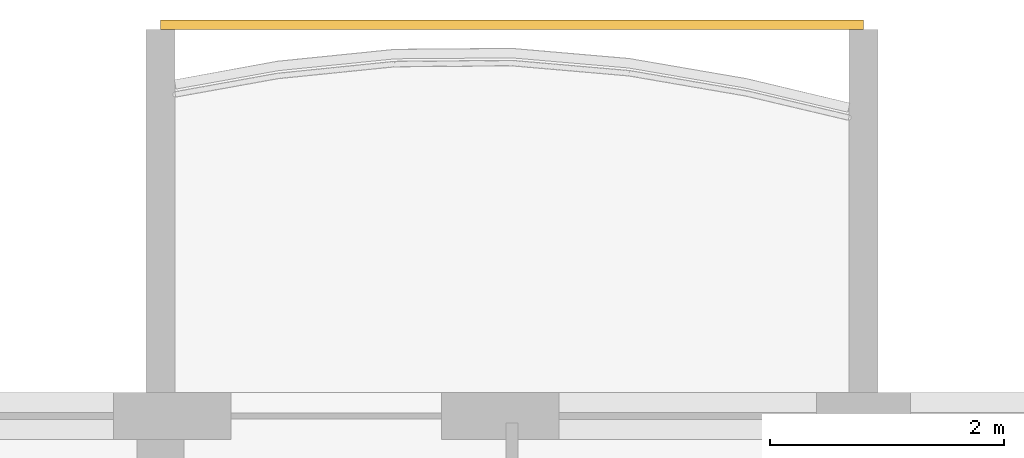
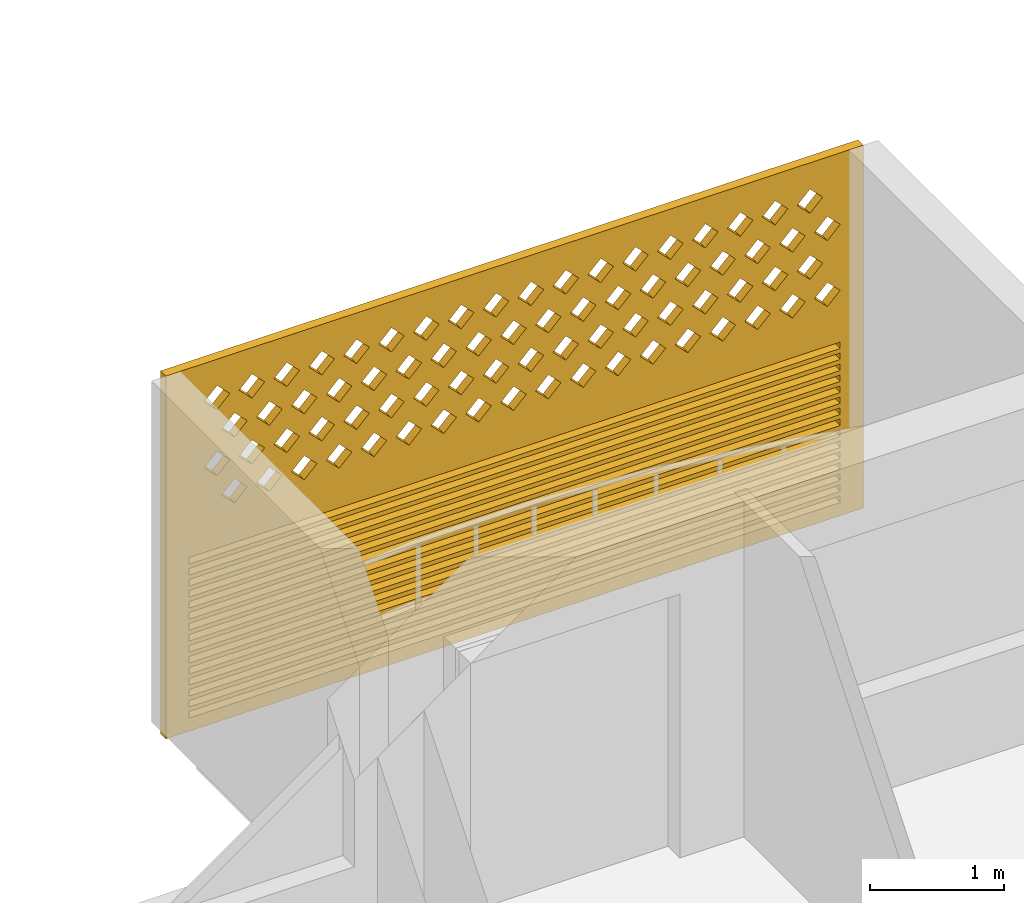
# One storey, part 25 of 44: 1 covering.
"""IFC4 building model written with IfcOpenShell, lengths in metres."""

import ifcopenshell
import ifcopenshell.guid

model = None  # the IFC model being written
_history = None  # IfcOwnerHistory: only IFC2X3 demands one
_inside = {}  # id of a spatial element -> (the spatial element, [elements in it])
_under = {}  # id of a project, library or spatial element -> (it, [spatial elements below it])
_declared = {}  # id of a project -> (the project, [libraries it declares])
_typed = {}  # id of a type object -> (the type object, [elements of that type])
_made_of = {}  # id of a material, layer set ... -> (it, [elements and type objects made of it])


def new_model(schema):
    """Start an empty IFC model of exactly this schema.

    Asked for "IFC4X3", IfcOpenShell would pick the latest addendum, in which some entities
    have other attributes; the version numbers below select the first issue.
    IFC2X3 requires an IfcOwnerHistory on every rooted entity: one is made here for all.
    """
    global model, _history
    if schema == "IFC4X3":
        model = ifcopenshell.file(schema_version=(4, 3, 0, 0))
    else:
        model = ifcopenshell.file(schema=schema)
    _inside.clear()
    _under.clear()
    _declared.clear()
    _typed.clear()
    _made_of.clear()
    _history = None
    if model.schema == "IFC2X3":
        org = make("IfcOrganization", Name="unknown")
        user = make(
            "IfcPersonAndOrganization",
            ThePerson=make("IfcPerson", FamilyName="unknown"),
            TheOrganization=org,
        )
        app = make(
            "IfcApplication",
            ApplicationDeveloper=org,
            Version="unknown",
            ApplicationFullName="unknown",
            ApplicationIdentifier="unknown",
        )
        _history = make(
            "IfcOwnerHistory",
            OwningUser=user,
            OwningApplication=app,
            ChangeAction="ADDED",
            CreationDate=0,
        )
    return model


def make(cls, **values):
    """One entity of the class cls with the attributes given. An attribute that is None is left unset."""
    return model.create_entity(
        cls, **{name: value for name, value in values.items() if value is not None}
    )


def rooted(cls, **values):
    """An entity with a GlobalId (a new one), such as an element, a storey or a relation."""
    return make(cls, GlobalId=ifcopenshell.guid.new(), OwnerHistory=_history, **values)


def si_unit(unit_type, name, prefix=None):
    """IfcSIUnit, for example si_unit("LENGTHUNIT", "METRE", prefix="MILLI")."""
    return make("IfcSIUnit", UnitType=unit_type, Prefix=prefix, Name=name)


def assignment(units):
    """IfcUnitAssignment: the units of a project."""
    return None if units is None else make("IfcUnitAssignment", Units=units)


def point(xyz):
    """IfcCartesianPoint."""
    return None if xyz is None else make("IfcCartesianPoint", Coordinates=xyz)


def direction(xyz):
    """IfcDirection."""
    return None if xyz is None else make("IfcDirection", DirectionRatios=xyz)


def frame(location, z_axis=None, x_axis=None):
    """IfcAxis2Placement3D, a coordinate frame: its origin and axes. An axis left out is left unset."""
    return make(
        "IfcAxis2Placement3D",
        Location=point(location),
        Axis=direction(z_axis),
        RefDirection=direction(x_axis),
    )


def origin():
    """The frame at (0, 0, 0) with its axes left unset."""
    return frame((0.0, 0.0, 0.0))


def place(relative_to, where):
    """IfcLocalPlacement: puts the frame where relative to a parent placement (None: the world)."""
    return make(
        "IfcLocalPlacement", PlacementRelTo=relative_to, RelativePlacement=where
    )


def context(
    kind, dimensions, precision=None, world=None, true_north=None, identifier=None
):
    """IfcGeometricRepresentationContext, for example the 3D "Model" context."""
    return make(
        "IfcGeometricRepresentationContext",
        ContextIdentifier=identifier,
        ContextType=kind,
        CoordinateSpaceDimension=dimensions,
        Precision=precision,
        WorldCoordinateSystem=world,
        TrueNorth=true_north,
    )


def subcontext(parent, identifier, kind, view, scale=None):
    """IfcGeometricRepresentationSubContext, for example "Body" below "Model"."""
    return make(
        "IfcGeometricRepresentationSubContext",
        ContextIdentifier=identifier,
        ContextType=kind,
        ParentContext=parent,
        TargetScale=scale,
        TargetView=view,
    )


def project(units=None, contexts=None):
    """IfcProject with its units and contexts."""
    return rooted(
        "IfcProject",
        Name="project",
        RepresentationContexts=contexts,
        UnitsInContext=assignment(units),
    )


def spatial(cls, under=None, at=None, **own):
    """A site, building, storey or space (cls), placed at a placement, below another one or the project."""
    s = rooted(cls, ObjectPlacement=at, **own)
    if under is not None:
        _under.setdefault(under.id(), (under, []))[1].append(s)
    return s


def polyline(points):
    """IfcPolyline through the points."""
    return make("IfcPolyline", Points=[point(p) for p in points])


def outline(outer, holes=None, kind="AREA"):
    """IfcArbitraryClosedProfileDef: a profile drawn as a closed curve; with holes, ...WithVoids."""
    if holes is None:
        return make("IfcArbitraryClosedProfileDef", ProfileType=kind, OuterCurve=outer)
    return make(
        "IfcArbitraryProfileDefWithVoids",
        ProfileType=kind,
        OuterCurve=outer,
        InnerCurves=holes,
    )


def extrude(swept, where, along, depth):
    """IfcExtrudedAreaSolid: the profile swept, set in the frame where, extruded along a direction by depth."""
    return make(
        "IfcExtrudedAreaSolid",
        SweptArea=swept,
        Position=where,
        ExtrudedDirection=direction(along),
        Depth=depth,
    )


def shape(context_of_items, identifier, shape_type, items):
    """IfcShapeRepresentation: the items that make up one representation, for example the "Body"."""
    return make(
        "IfcShapeRepresentation",
        ContextOfItems=context_of_items,
        RepresentationIdentifier=identifier,
        RepresentationType=shape_type,
        Items=items,
    )


def source(mapping_origin, context_of_items, identifier, shape_type, items):
    """IfcRepresentationMap: a shape defined once, which mapped items show again and again."""
    return make(
        "IfcRepresentationMap",
        MappingOrigin=mapping_origin,
        MappedRepresentation=shape(context_of_items, identifier, shape_type, items),
    )


def transform(
    local_origin,
    x_axis=None,
    y_axis=None,
    z_axis=None,
    scale=None,
    scale2=None,
    scale3=None,
    uniform=True,
):
    """IfcCartesianTransformationOperator3D, or its non-uniform kind. x_axis, y_axis, z_axis: its Axis1, 2, 3."""
    if uniform:
        return make(
            "IfcCartesianTransformationOperator3D",
            Axis1=direction(x_axis),
            Axis2=direction(y_axis),
            LocalOrigin=point(local_origin),
            Scale=scale,
            Axis3=direction(z_axis),
        )
    return make(
        "IfcCartesianTransformationOperator3DnonUniform",
        Axis1=direction(x_axis),
        Axis2=direction(y_axis),
        LocalOrigin=point(local_origin),
        Scale=scale,
        Axis3=direction(z_axis),
        Scale2=scale2,
        Scale3=scale3,
    )


def mapped(mapping_source, mapping_target):
    """IfcMappedItem: shows the shape of a source again, moved by a transform."""
    return make(
        "IfcMappedItem", MappingSource=mapping_source, MappingTarget=mapping_target
    )


def material(Name=None, Category=None):
    """IfcMaterial."""
    return make("IfcMaterial", Name=Name, Category=Category)


def material_profile(
    of_material, cross_section, Name=None, Category=None, Priority=None
):
    """IfcMaterialProfile: a cross section and its material."""
    return make(
        "IfcMaterialProfile",
        Name=Name,
        Material=of_material,
        Profile=cross_section,
        Priority=Priority,
        Category=Category,
    )


def profile_set(profiles, Name=None, composite=None):
    """IfcMaterialProfileSet."""
    return make(
        "IfcMaterialProfileSet",
        Name=Name,
        MaterialProfiles=profiles,
        CompositeProfile=composite,
    )


def made_of(thing, what):
    """Note that an element or type object is made of a material, layer set ...; save() writes the relation."""
    if what is not None:
        _made_of.setdefault(what.id(), (what, []))[1].append(thing)
    return thing


def type_object(cls, material=None, **own):
    """A type object (cls), such as IfcWallType, which elements share."""
    return made_of(rooted(cls, **own), material)


def element(
    cls,
    number,
    at=None,
    inside=None,
    cuts=None,
    type_object=None,
    material=None,
    context=None,
    identifier="Body",
    shape_type=None,
    held_by="IfcProductDefinitionShape",
    body=None,
    shapes=None,
    **own,
):
    """One element of the class cls, such as IfcWall. Its Tag is "e" and its number.

    at: its placement. inside: the storey or other place that contains it. cuts: it is an
    opening in that element (IfcRelVoidsElement). A single representation is given by context,
    identifier, shape_type and body (its items); several are given by shapes. held_by: the class
    of the entity that holds the representations. save() writes the other relations.
    """
    e = rooted(cls, Tag="e%d" % number, ObjectPlacement=at, **own)
    if body is not None:
        shapes = [shape(context, identifier, shape_type, body)]
    if shapes is not None:
        e.Representation = make(held_by, Representations=shapes)
    if inside is not None:
        _inside.setdefault(inside.id(), (inside, []))[1].append(e)
    if cuts is not None:
        rooted(
            "IfcRelVoidsElement", RelatingBuildingElement=cuts, RelatedOpeningElement=e
        )
    if type_object is not None:
        _typed.setdefault(type_object.id(), (type_object, []))[1].append(e)
    return made_of(e, material)


def aggregate(whole, parts):
    """IfcRelAggregates: a whole, such as a stair, and the parts it consists of."""
    return rooted("IfcRelAggregates", RelatingObject=whole, RelatedObjects=parts)


def save(model, path):
    """Write the relations noted so far, then the file.

    IfcRelAggregates (storeys below a building ...), IfcRelContainedInSpatialStructure (elements
    in a storey), IfcRelDefinesByType, IfcRelAssociatesMaterial and IfcRelDeclares: one each for
    every whole, place, type object, material and project.
    """
    for whole, parts in _under.values():
        aggregate(whole, parts)
    for where, things in _inside.values():
        rooted(
            "IfcRelContainedInSpatialStructure",
            RelatedElements=things,
            RelatingStructure=where,
        )
    for kind, things in _typed.values():
        rooted("IfcRelDefinesByType", RelatedObjects=things, RelatingType=kind)
    for what, things in _made_of.values():
        rooted("IfcRelAssociatesMaterial", RelatedObjects=things, RelatingMaterial=what)
    for by, libraries in _declared.values():
        rooted("IfcRelDeclares", RelatingContext=by, RelatedDefinitions=libraries)
    model.write(path)


model = new_model("IFC4")

# Units and contexts
model_context = context("Model", 3, precision=1e-05, world=origin(), true_north=direction((0.0, 1.0)))
body_context = subcontext(model_context, "Body", "Model", "MODEL_VIEW")
ifc_project = project(units=[si_unit("LENGTHUNIT", "METRE"), si_unit("AREAUNIT", "SQUARE_METRE"), si_unit("VOLUMEUNIT", "CUBIC_METRE"), si_unit("PLANEANGLEUNIT", "RADIAN"), si_unit("MASSUNIT", "GRAM", prefix="KILO")], contexts=[model_context])

# Site, building, storey
site_placement = place(None, origin())
site = spatial("IfcSite", under=ifc_project, at=site_placement, CompositionType="ELEMENT")
building_placement = place(site_placement, origin())
building = spatial("IfcBuilding", under=site, at=building_placement, Name="Poui Terraces", CompositionType="ELEMENT")
storey_placement = place(building_placement, frame((0.0, 0.0, 26.699951171875)))
storey = spatial("IfcBuildingStorey", under=building, at=storey_placement, Name="L06", CompositionType="ELEMENT", Elevation=26.699951171875)

# Covering
ifc_material = material(Name="Terracotta screen", Category="masonry")
ifc_material_profile = material_profile(ifc_material, outline(polyline([(-3.0, -1.64990234375), (3.0, -1.64990234375), (3.0, 1.64990234375), (-3.0, 1.64990234375), (-3.0, -1.64990234375)]), holes=[polyline([(-2.800048828125, 0.39990234375), (-2.68994140625, 0.2900390625), (-2.580078125, 0.39990234375), (-2.68994140625, 0.510009765625), (-2.800048828125, 0.39990234375)]), polyline([(-2.5, 0.39990234375), (-2.389892578125, 0.2900390625), (-2.280029296875, 0.39990234375), (-2.389892578125, 0.510009765625), (-2.5, 0.39990234375)]), polyline([(-2.199951171875, 0.39990234375), (-2.090087890625, 0.2900390625), (-1.97998046875, 0.39990234375), (-2.090087890625, 0.510009765625), (-2.199951171875, 0.39990234375)]), polyline([(-1.89990234375, 0.39990234375), (-1.7900390625, 0.2900390625), (-1.679931640625, 0.39990234375), (-1.7900390625, 0.510009765625), (-1.89990234375, 0.39990234375)]), polyline([(-1.60009765625, 0.39990234375), (-1.489990234375, 0.2900390625), (-1.3798828125, 0.39990234375), (-1.489990234375, 0.510009765625), (-1.60009765625, 0.39990234375)]), polyline([(-1.300048828125, 0.39990234375), (-1.18994140625, 0.2900390625), (-1.080078125, 0.39990234375), (-1.18994140625, 0.510009765625), (-1.300048828125, 0.39990234375)]), polyline([(-1.0, 0.39990234375), (-0.889892578125, 0.2900390625), (-0.780029296875, 0.39990234375), (-0.889892578125, 0.510009765625), (-1.0, 0.39990234375)]), polyline([(-0.699951171875, 0.39990234375), (-0.590087890625, 0.2900390625), (-0.47998046875, 0.39990234375), (-0.590087890625, 0.510009765625), (-0.699951171875, 0.39990234375)]), polyline([(-0.39990234375, 0.39990234375), (-0.2900390625, 0.2900390625), (-0.179931640625, 0.39990234375), (-0.2900390625, 0.510009765625), (-0.39990234375, 0.39990234375)]), polyline([(-0.10009765625, 0.39990234375), (0.010009765625, 0.2900390625), (0.1201171875, 0.39990234375), (0.010009765625, 0.510009765625), (-0.10009765625, 0.39990234375)]), polyline([(0.199951171875, 0.39990234375), (0.31005859375, 0.2900390625), (0.419921875, 0.39990234375), (0.31005859375, 0.510009765625), (0.199951171875, 0.39990234375)]), polyline([(0.5, 0.39990234375), (0.610107421875, 0.2900390625), (0.719970703125, 0.39990234375), (0.610107421875, 0.510009765625), (0.5, 0.39990234375)]), polyline([(0.800048828125, 0.39990234375), (0.909912109375, 0.2900390625), (1.02001953125, 0.39990234375), (0.909912109375, 0.510009765625), (0.800048828125, 0.39990234375)]), polyline([(1.10009765625, 0.39990234375), (1.2099609375, 0.2900390625), (1.320068359375, 0.39990234375), (1.2099609375, 0.510009765625), (1.10009765625, 0.39990234375)]), polyline([(1.39990234375, 0.39990234375), (1.510009765625, 0.2900390625), (1.6201171875, 0.39990234375), (1.510009765625, 0.510009765625), (1.39990234375, 0.39990234375)]), polyline([(1.699951171875, 0.39990234375), (1.81005859375, 0.2900390625), (1.919921875, 0.39990234375), (1.81005859375, 0.510009765625), (1.699951171875, 0.39990234375)]), polyline([(2.0, 0.39990234375), (2.110107421875, 0.2900390625), (2.219970703125, 0.39990234375), (2.110107421875, 0.510009765625), (2.0, 0.39990234375)]), polyline([(2.300048828125, 0.39990234375), (2.409912109375, 0.2900390625), (2.52001953125, 0.39990234375), (2.409912109375, 0.510009765625), (2.300048828125, 0.39990234375)]), polyline([(-2.64990234375, 0.699951171875), (-2.5400390625, 0.590087890625), (-2.429931640625, 0.699951171875), (-2.5400390625, 0.81005859375), (-2.64990234375, 0.699951171875)]), polyline([(-2.35009765625, 0.699951171875), (-2.239990234375, 0.590087890625), (-2.1298828125, 0.699951171875), (-2.239990234375, 0.81005859375), (-2.35009765625, 0.699951171875)]), polyline([(-2.050048828125, 0.699951171875), (-1.93994140625, 0.590087890625), (-1.830078125, 0.699951171875), (-1.93994140625, 0.81005859375), (-2.050048828125, 0.699951171875)]), polyline([(-1.75, 0.699951171875), (-1.639892578125, 0.590087890625), (-1.530029296875, 0.699951171875), (-1.639892578125, 0.81005859375), (-1.75, 0.699951171875)]), polyline([(-1.449951171875, 0.699951171875), (-1.340087890625, 0.590087890625), (-1.22998046875, 0.699951171875), (-1.340087890625, 0.81005859375), (-1.449951171875, 0.699951171875)]), polyline([(-1.14990234375, 0.699951171875), (-1.0400390625, 0.590087890625), (-0.929931640625, 0.699951171875), (-1.0400390625, 0.81005859375), (-1.14990234375, 0.699951171875)]), polyline([(-0.85009765625, 0.699951171875), (-0.739990234375, 0.590087890625), (-0.6298828125, 0.699951171875), (-0.739990234375, 0.81005859375), (-0.85009765625, 0.699951171875)]), polyline([(-0.550048828125, 0.699951171875), (-0.43994140625, 0.590087890625), (-0.330078125, 0.699951171875), (-0.43994140625, 0.81005859375), (-0.550048828125, 0.699951171875)]), polyline([(-0.25, 0.699951171875), (-0.139892578125, 0.590087890625), (-0.030029296875, 0.699951171875), (-0.139892578125, 0.81005859375), (-0.25, 0.699951171875)]), polyline([(0.050048828125, 0.699951171875), (0.159912109375, 0.590087890625), (0.27001953125, 0.699951171875), (0.159912109375, 0.81005859375), (0.050048828125, 0.699951171875)]), polyline([(0.35009765625, 0.699951171875), (0.4599609375, 0.590087890625), (0.570068359375, 0.699951171875), (0.4599609375, 0.81005859375), (0.35009765625, 0.699951171875)]), polyline([(0.64990234375, 0.699951171875), (0.760009765625, 0.590087890625), (0.8701171875, 0.699951171875), (0.760009765625, 0.81005859375), (0.64990234375, 0.699951171875)]), polyline([(0.949951171875, 0.699951171875), (1.06005859375, 0.590087890625), (1.169921875, 0.699951171875), (1.06005859375, 0.81005859375), (0.949951171875, 0.699951171875)]), polyline([(1.25, 0.699951171875), (1.360107421875, 0.590087890625), (1.469970703125, 0.699951171875), (1.360107421875, 0.81005859375), (1.25, 0.699951171875)]), polyline([(1.550048828125, 0.699951171875), (1.659912109375, 0.590087890625), (1.77001953125, 0.699951171875), (1.659912109375, 0.81005859375), (1.550048828125, 0.699951171875)]), polyline([(1.85009765625, 0.699951171875), (1.9599609375, 0.590087890625), (2.070068359375, 0.699951171875), (1.9599609375, 0.81005859375), (1.85009765625, 0.699951171875)]), polyline([(2.14990234375, 0.699951171875), (2.260009765625, 0.590087890625), (2.3701171875, 0.699951171875), (2.260009765625, 0.81005859375), (2.14990234375, 0.699951171875)]), polyline([(2.449951171875, 0.699951171875), (2.56005859375, 0.590087890625), (2.669921875, 0.699951171875), (2.56005859375, 0.81005859375), (2.449951171875, 0.699951171875)]), polyline([(-2.800048828125, 1.0), (-2.68994140625, 0.889892578125), (-2.580078125, 1.0), (-2.68994140625, 1.110107421875), (-2.800048828125, 1.0)]), polyline([(-2.5, 1.0), (-2.389892578125, 0.889892578125), (-2.280029296875, 1.0), (-2.389892578125, 1.110107421875), (-2.5, 1.0)]), polyline([(-2.199951171875, 1.0), (-2.090087890625, 0.889892578125), (-1.97998046875, 1.0), (-2.090087890625, 1.110107421875), (-2.199951171875, 1.0)]), polyline([(-1.89990234375, 1.0), (-1.7900390625, 0.889892578125), (-1.679931640625, 1.0), (-1.7900390625, 1.110107421875), (-1.89990234375, 1.0)]), polyline([(-1.60009765625, 1.0), (-1.489990234375, 0.889892578125), (-1.3798828125, 1.0), (-1.489990234375, 1.110107421875), (-1.60009765625, 1.0)]), polyline([(-1.300048828125, 1.0), (-1.18994140625, 0.889892578125), (-1.080078125, 1.0), (-1.18994140625, 1.110107421875), (-1.300048828125, 1.0)]), polyline([(-1.0, 1.0), (-0.889892578125, 0.889892578125), (-0.780029296875, 1.0), (-0.889892578125, 1.110107421875), (-1.0, 1.0)]), polyline([(-0.699951171875, 1.0), (-0.590087890625, 0.889892578125), (-0.47998046875, 1.0), (-0.590087890625, 1.110107421875), (-0.699951171875, 1.0)]), polyline([(-0.39990234375, 1.0), (-0.2900390625, 0.889892578125), (-0.179931640625, 1.0), (-0.2900390625, 1.110107421875), (-0.39990234375, 1.0)]), polyline([(-0.10009765625, 1.0), (0.010009765625, 0.889892578125), (0.1201171875, 1.0), (0.010009765625, 1.110107421875), (-0.10009765625, 1.0)]), polyline([(0.199951171875, 1.0), (0.31005859375, 0.889892578125), (0.419921875, 1.0), (0.31005859375, 1.110107421875), (0.199951171875, 1.0)]), polyline([(0.5, 1.0), (0.610107421875, 0.889892578125), (0.719970703125, 1.0), (0.610107421875, 1.110107421875), (0.5, 1.0)]), polyline([(0.800048828125, 1.0), (0.909912109375, 0.889892578125), (1.02001953125, 1.0), (0.909912109375, 1.110107421875), (0.800048828125, 1.0)]), polyline([(1.10009765625, 1.0), (1.2099609375, 0.889892578125), (1.320068359375, 1.0), (1.2099609375, 1.110107421875), (1.10009765625, 1.0)]), polyline([(1.39990234375, 1.0), (1.510009765625, 0.889892578125), (1.6201171875, 1.0), (1.510009765625, 1.110107421875), (1.39990234375, 1.0)]), polyline([(1.699951171875, 1.0), (1.81005859375, 0.889892578125), (1.919921875, 1.0), (1.81005859375, 1.110107421875), (1.699951171875, 1.0)]), polyline([(2.0, 1.0), (2.110107421875, 0.889892578125), (2.219970703125, 1.0), (2.110107421875, 1.110107421875), (2.0, 1.0)]), polyline([(2.300048828125, 1.0), (2.409912109375, 0.889892578125), (2.52001953125, 1.0), (2.409912109375, 1.110107421875), (2.300048828125, 1.0)]), polyline([(-2.64990234375, 1.300048828125), (-2.5400390625, 1.18994140625), (-2.429931640625, 1.300048828125), (-2.5400390625, 1.409912109375), (-2.64990234375, 1.300048828125)]), polyline([(-2.35009765625, 1.300048828125), (-2.239990234375, 1.18994140625), (-2.1298828125, 1.300048828125), (-2.239990234375, 1.409912109375), (-2.35009765625, 1.300048828125)]), polyline([(-2.050048828125, 1.300048828125), (-1.93994140625, 1.18994140625), (-1.830078125, 1.300048828125), (-1.93994140625, 1.409912109375), (-2.050048828125, 1.300048828125)]), polyline([(-1.75, 1.300048828125), (-1.639892578125, 1.18994140625), (-1.530029296875, 1.300048828125), (-1.639892578125, 1.409912109375), (-1.75, 1.300048828125)]), polyline([(-1.449951171875, 1.300048828125), (-1.340087890625, 1.18994140625), (-1.22998046875, 1.300048828125), (-1.340087890625, 1.409912109375), (-1.449951171875, 1.300048828125)]), polyline([(-1.14990234375, 1.300048828125), (-1.0400390625, 1.18994140625), (-0.929931640625, 1.300048828125), (-1.0400390625, 1.409912109375), (-1.14990234375, 1.300048828125)]), polyline([(-0.85009765625, 1.300048828125), (-0.739990234375, 1.18994140625), (-0.6298828125, 1.300048828125), (-0.739990234375, 1.409912109375), (-0.85009765625, 1.300048828125)]), polyline([(-0.550048828125, 1.300048828125), (-0.43994140625, 1.18994140625), (-0.330078125, 1.300048828125), (-0.43994140625, 1.409912109375), (-0.550048828125, 1.300048828125)]), polyline([(-0.25, 1.300048828125), (-0.139892578125, 1.18994140625), (-0.030029296875, 1.300048828125), (-0.139892578125, 1.409912109375), (-0.25, 1.300048828125)]), polyline([(0.050048828125, 1.300048828125), (0.159912109375, 1.18994140625), (0.27001953125, 1.300048828125), (0.159912109375, 1.409912109375), (0.050048828125, 1.300048828125)]), polyline([(0.35009765625, 1.300048828125), (0.4599609375, 1.18994140625), (0.570068359375, 1.300048828125), (0.4599609375, 1.409912109375), (0.35009765625, 1.300048828125)]), polyline([(0.64990234375, 1.300048828125), (0.760009765625, 1.18994140625), (0.8701171875, 1.300048828125), (0.760009765625, 1.409912109375), (0.64990234375, 1.300048828125)]), polyline([(0.949951171875, 1.300048828125), (1.06005859375, 1.18994140625), (1.169921875, 1.300048828125), (1.06005859375, 1.409912109375), (0.949951171875, 1.300048828125)]), polyline([(1.25, 1.300048828125), (1.360107421875, 1.18994140625), (1.469970703125, 1.300048828125), (1.360107421875, 1.409912109375), (1.25, 1.300048828125)]), polyline([(1.550048828125, 1.300048828125), (1.659912109375, 1.18994140625), (1.77001953125, 1.300048828125), (1.659912109375, 1.409912109375), (1.550048828125, 1.300048828125)]), polyline([(1.85009765625, 1.300048828125), (1.9599609375, 1.18994140625), (2.070068359375, 1.300048828125), (1.9599609375, 1.409912109375), (1.85009765625, 1.300048828125)]), polyline([(2.14990234375, 1.300048828125), (2.260009765625, 1.18994140625), (2.3701171875, 1.300048828125), (2.260009765625, 1.409912109375), (2.14990234375, 1.300048828125)]), polyline([(2.449951171875, 1.300048828125), (2.56005859375, 1.18994140625), (2.669921875, 1.300048828125), (2.56005859375, 1.409912109375), (2.449951171875, 1.300048828125)]), polyline([(-2.800048828125, -1.530029296875), (2.800048828125, -1.530029296875), (2.800048828125, -1.469970703125), (-2.800048828125, -1.469970703125), (-2.800048828125, -1.530029296875)]), polyline([(-2.800048828125, -1.429931640625), (2.800048828125, -1.429931640625), (2.800048828125, -1.3701171875), (-2.800048828125, -1.3701171875), (-2.800048828125, -1.429931640625)]), polyline([(-2.800048828125, -1.330078125), (2.800048828125, -1.330078125), (2.800048828125, -1.27001953125), (-2.800048828125, -1.27001953125), (-2.800048828125, -1.330078125)]), polyline([(-2.800048828125, -1.22998046875), (2.800048828125, -1.22998046875), (2.800048828125, -1.169921875), (-2.800048828125, -1.169921875), (-2.800048828125, -1.22998046875)]), polyline([(-2.800048828125, -1.1298828125), (2.800048828125, -1.1298828125), (2.800048828125, -1.070068359375), (-2.800048828125, -1.070068359375), (-2.800048828125, -1.1298828125)]), polyline([(-2.800048828125, -1.030029296875), (2.800048828125, -1.030029296875), (2.800048828125, -0.969970703125), (-2.800048828125, -0.969970703125), (-2.800048828125, -1.030029296875)]), polyline([(-2.800048828125, -0.929931640625), (2.800048828125, -0.929931640625), (2.800048828125, -0.8701171875), (-2.800048828125, -0.8701171875), (-2.800048828125, -0.929931640625)]), polyline([(-2.800048828125, -0.830078125), (2.800048828125, -0.830078125), (2.800048828125, -0.77001953125), (-2.800048828125, -0.77001953125), (-2.800048828125, -0.830078125)]), polyline([(-2.800048828125, -0.72998046875), (2.800048828125, -0.72998046875), (2.800048828125, -0.669921875), (-2.800048828125, -0.669921875), (-2.800048828125, -0.72998046875)]), polyline([(-2.800048828125, -0.6298828125), (2.800048828125, -0.6298828125), (2.800048828125, -0.570068359375), (-2.800048828125, -0.570068359375), (-2.800048828125, -0.6298828125)]), polyline([(-2.800048828125, -0.530029296875), (2.800048828125, -0.530029296875), (2.800048828125, -0.469970703125), (-2.800048828125, -0.469970703125), (-2.800048828125, -0.530029296875)]), polyline([(-2.800048828125, -0.429931640625), (2.800048828125, -0.429931640625), (2.800048828125, -0.3701171875), (-2.800048828125, -0.3701171875), (-2.800048828125, -0.429931640625)]), polyline([(-2.800048828125, -0.330078125), (2.800048828125, -0.330078125), (2.800048828125, -0.27001953125), (-2.800048828125, -0.27001953125), (-2.800048828125, -0.330078125)]), polyline([(-2.800048828125, -0.22998046875), (2.800048828125, -0.22998046875), (2.800048828125, -0.169921875), (-2.800048828125, -0.169921875), (-2.800048828125, -0.22998046875)]), polyline([(-2.800048828125, -0.1298828125), (2.800048828125, -0.1298828125), (2.800048828125, -0.070068359375), (-2.800048828125, -0.070068359375), (-2.800048828125, -0.1298828125)])]), Name="TERRACOTTA SCREEN AND JALOUSIE LOUVRE 6000X3300")
ifc_profile_set = profile_set([ifc_material_profile], Name="Terracotta screen")
covering_type = type_object("IfcCoveringType", Name="TERRACOTTA SCREEN AND JALOUSIE LOUVRE 6000X3300", PredefinedType="CLADDING", material=ifc_profile_set)
shared_shape = source(origin(), body_context, "Body", "SweptSolid", [
    extrude(outline(polyline([(-3.0, -1.64990234375), (3.0, -1.64990234375), (3.0, 1.64990234375), (-3.0, 1.64990234375), (-3.0, -1.64990234375)]), holes=[polyline([(-2.800048828125, 0.39990234375), (-2.68994140625, 0.2900390625), (-2.580078125, 0.39990234375), (-2.68994140625, 0.510009765625), (-2.800048828125, 0.39990234375)]), polyline([(-2.5, 0.39990234375), (-2.389892578125, 0.2900390625), (-2.280029296875, 0.39990234375), (-2.389892578125, 0.510009765625), (-2.5, 0.39990234375)]), polyline([(-2.199951171875, 0.39990234375), (-2.090087890625, 0.2900390625), (-1.97998046875, 0.39990234375), (-2.090087890625, 0.510009765625), (-2.199951171875, 0.39990234375)]), polyline([(-1.89990234375, 0.39990234375), (-1.7900390625, 0.2900390625), (-1.679931640625, 0.39990234375), (-1.7900390625, 0.510009765625), (-1.89990234375, 0.39990234375)]), polyline([(-1.60009765625, 0.39990234375), (-1.489990234375, 0.2900390625), (-1.3798828125, 0.39990234375), (-1.489990234375, 0.510009765625), (-1.60009765625, 0.39990234375)]), polyline([(-1.300048828125, 0.39990234375), (-1.18994140625, 0.2900390625), (-1.080078125, 0.39990234375), (-1.18994140625, 0.510009765625), (-1.300048828125, 0.39990234375)]), polyline([(-1.0, 0.39990234375), (-0.889892578125, 0.2900390625), (-0.780029296875, 0.39990234375), (-0.889892578125, 0.510009765625), (-1.0, 0.39990234375)]), polyline([(-0.699951171875, 0.39990234375), (-0.590087890625, 0.2900390625), (-0.47998046875, 0.39990234375), (-0.590087890625, 0.510009765625), (-0.699951171875, 0.39990234375)]), polyline([(-0.39990234375, 0.39990234375), (-0.2900390625, 0.2900390625), (-0.179931640625, 0.39990234375), (-0.2900390625, 0.510009765625), (-0.39990234375, 0.39990234375)]), polyline([(-0.10009765625, 0.39990234375), (0.010009765625, 0.2900390625), (0.1201171875, 0.39990234375), (0.010009765625, 0.510009765625), (-0.10009765625, 0.39990234375)]), polyline([(0.199951171875, 0.39990234375), (0.31005859375, 0.2900390625), (0.419921875, 0.39990234375), (0.31005859375, 0.510009765625), (0.199951171875, 0.39990234375)]), polyline([(0.5, 0.39990234375), (0.610107421875, 0.2900390625), (0.719970703125, 0.39990234375), (0.610107421875, 0.510009765625), (0.5, 0.39990234375)]), polyline([(0.800048828125, 0.39990234375), (0.909912109375, 0.2900390625), (1.02001953125, 0.39990234375), (0.909912109375, 0.510009765625), (0.800048828125, 0.39990234375)]), polyline([(1.10009765625, 0.39990234375), (1.2099609375, 0.2900390625), (1.320068359375, 0.39990234375), (1.2099609375, 0.510009765625), (1.10009765625, 0.39990234375)]), polyline([(1.39990234375, 0.39990234375), (1.510009765625, 0.2900390625), (1.6201171875, 0.39990234375), (1.510009765625, 0.510009765625), (1.39990234375, 0.39990234375)]), polyline([(1.699951171875, 0.39990234375), (1.81005859375, 0.2900390625), (1.919921875, 0.39990234375), (1.81005859375, 0.510009765625), (1.699951171875, 0.39990234375)]), polyline([(2.0, 0.39990234375), (2.110107421875, 0.2900390625), (2.219970703125, 0.39990234375), (2.110107421875, 0.510009765625), (2.0, 0.39990234375)]), polyline([(2.300048828125, 0.39990234375), (2.409912109375, 0.2900390625), (2.52001953125, 0.39990234375), (2.409912109375, 0.510009765625), (2.300048828125, 0.39990234375)]), polyline([(-2.64990234375, 0.699951171875), (-2.5400390625, 0.590087890625), (-2.429931640625, 0.699951171875), (-2.5400390625, 0.81005859375), (-2.64990234375, 0.699951171875)]), polyline([(-2.35009765625, 0.699951171875), (-2.239990234375, 0.590087890625), (-2.1298828125, 0.699951171875), (-2.239990234375, 0.81005859375), (-2.35009765625, 0.699951171875)]), polyline([(-2.050048828125, 0.699951171875), (-1.93994140625, 0.590087890625), (-1.830078125, 0.699951171875), (-1.93994140625, 0.81005859375), (-2.050048828125, 0.699951171875)]), polyline([(-1.75, 0.699951171875), (-1.639892578125, 0.590087890625), (-1.530029296875, 0.699951171875), (-1.639892578125, 0.81005859375), (-1.75, 0.699951171875)]), polyline([(-1.449951171875, 0.699951171875), (-1.340087890625, 0.590087890625), (-1.22998046875, 0.699951171875), (-1.340087890625, 0.81005859375), (-1.449951171875, 0.699951171875)]), polyline([(-1.14990234375, 0.699951171875), (-1.0400390625, 0.590087890625), (-0.929931640625, 0.699951171875), (-1.0400390625, 0.81005859375), (-1.14990234375, 0.699951171875)]), polyline([(-0.85009765625, 0.699951171875), (-0.739990234375, 0.590087890625), (-0.6298828125, 0.699951171875), (-0.739990234375, 0.81005859375), (-0.85009765625, 0.699951171875)]), polyline([(-0.550048828125, 0.699951171875), (-0.43994140625, 0.590087890625), (-0.330078125, 0.699951171875), (-0.43994140625, 0.81005859375), (-0.550048828125, 0.699951171875)]), polyline([(-0.25, 0.699951171875), (-0.139892578125, 0.590087890625), (-0.030029296875, 0.699951171875), (-0.139892578125, 0.81005859375), (-0.25, 0.699951171875)]), polyline([(0.050048828125, 0.699951171875), (0.159912109375, 0.590087890625), (0.27001953125, 0.699951171875), (0.159912109375, 0.81005859375), (0.050048828125, 0.699951171875)]), polyline([(0.35009765625, 0.699951171875), (0.4599609375, 0.590087890625), (0.570068359375, 0.699951171875), (0.4599609375, 0.81005859375), (0.35009765625, 0.699951171875)]), polyline([(0.64990234375, 0.699951171875), (0.760009765625, 0.590087890625), (0.8701171875, 0.699951171875), (0.760009765625, 0.81005859375), (0.64990234375, 0.699951171875)]), polyline([(0.949951171875, 0.699951171875), (1.06005859375, 0.590087890625), (1.169921875, 0.699951171875), (1.06005859375, 0.81005859375), (0.949951171875, 0.699951171875)]), polyline([(1.25, 0.699951171875), (1.360107421875, 0.590087890625), (1.469970703125, 0.699951171875), (1.360107421875, 0.81005859375), (1.25, 0.699951171875)]), polyline([(1.550048828125, 0.699951171875), (1.659912109375, 0.590087890625), (1.77001953125, 0.699951171875), (1.659912109375, 0.81005859375), (1.550048828125, 0.699951171875)]), polyline([(1.85009765625, 0.699951171875), (1.9599609375, 0.590087890625), (2.070068359375, 0.699951171875), (1.9599609375, 0.81005859375), (1.85009765625, 0.699951171875)]), polyline([(2.14990234375, 0.699951171875), (2.260009765625, 0.590087890625), (2.3701171875, 0.699951171875), (2.260009765625, 0.81005859375), (2.14990234375, 0.699951171875)]), polyline([(2.449951171875, 0.699951171875), (2.56005859375, 0.590087890625), (2.669921875, 0.699951171875), (2.56005859375, 0.81005859375), (2.449951171875, 0.699951171875)]), polyline([(-2.800048828125, 1.0), (-2.68994140625, 0.889892578125), (-2.580078125, 1.0), (-2.68994140625, 1.110107421875), (-2.800048828125, 1.0)]), polyline([(-2.5, 1.0), (-2.389892578125, 0.889892578125), (-2.280029296875, 1.0), (-2.389892578125, 1.110107421875), (-2.5, 1.0)]), polyline([(-2.199951171875, 1.0), (-2.090087890625, 0.889892578125), (-1.97998046875, 1.0), (-2.090087890625, 1.110107421875), (-2.199951171875, 1.0)]), polyline([(-1.89990234375, 1.0), (-1.7900390625, 0.889892578125), (-1.679931640625, 1.0), (-1.7900390625, 1.110107421875), (-1.89990234375, 1.0)]), polyline([(-1.60009765625, 1.0), (-1.489990234375, 0.889892578125), (-1.3798828125, 1.0), (-1.489990234375, 1.110107421875), (-1.60009765625, 1.0)]), polyline([(-1.300048828125, 1.0), (-1.18994140625, 0.889892578125), (-1.080078125, 1.0), (-1.18994140625, 1.110107421875), (-1.300048828125, 1.0)]), polyline([(-1.0, 1.0), (-0.889892578125, 0.889892578125), (-0.780029296875, 1.0), (-0.889892578125, 1.110107421875), (-1.0, 1.0)]), polyline([(-0.699951171875, 1.0), (-0.590087890625, 0.889892578125), (-0.47998046875, 1.0), (-0.590087890625, 1.110107421875), (-0.699951171875, 1.0)]), polyline([(-0.39990234375, 1.0), (-0.2900390625, 0.889892578125), (-0.179931640625, 1.0), (-0.2900390625, 1.110107421875), (-0.39990234375, 1.0)]), polyline([(-0.10009765625, 1.0), (0.010009765625, 0.889892578125), (0.1201171875, 1.0), (0.010009765625, 1.110107421875), (-0.10009765625, 1.0)]), polyline([(0.199951171875, 1.0), (0.31005859375, 0.889892578125), (0.419921875, 1.0), (0.31005859375, 1.110107421875), (0.199951171875, 1.0)]), polyline([(0.5, 1.0), (0.610107421875, 0.889892578125), (0.719970703125, 1.0), (0.610107421875, 1.110107421875), (0.5, 1.0)]), polyline([(0.800048828125, 1.0), (0.909912109375, 0.889892578125), (1.02001953125, 1.0), (0.909912109375, 1.110107421875), (0.800048828125, 1.0)]), polyline([(1.10009765625, 1.0), (1.2099609375, 0.889892578125), (1.320068359375, 1.0), (1.2099609375, 1.110107421875), (1.10009765625, 1.0)]), polyline([(1.39990234375, 1.0), (1.510009765625, 0.889892578125), (1.6201171875, 1.0), (1.510009765625, 1.110107421875), (1.39990234375, 1.0)]), polyline([(1.699951171875, 1.0), (1.81005859375, 0.889892578125), (1.919921875, 1.0), (1.81005859375, 1.110107421875), (1.699951171875, 1.0)]), polyline([(2.0, 1.0), (2.110107421875, 0.889892578125), (2.219970703125, 1.0), (2.110107421875, 1.110107421875), (2.0, 1.0)]), polyline([(2.300048828125, 1.0), (2.409912109375, 0.889892578125), (2.52001953125, 1.0), (2.409912109375, 1.110107421875), (2.300048828125, 1.0)]), polyline([(-2.64990234375, 1.300048828125), (-2.5400390625, 1.18994140625), (-2.429931640625, 1.300048828125), (-2.5400390625, 1.409912109375), (-2.64990234375, 1.300048828125)]), polyline([(-2.35009765625, 1.300048828125), (-2.239990234375, 1.18994140625), (-2.1298828125, 1.300048828125), (-2.239990234375, 1.409912109375), (-2.35009765625, 1.300048828125)]), polyline([(-2.050048828125, 1.300048828125), (-1.93994140625, 1.18994140625), (-1.830078125, 1.300048828125), (-1.93994140625, 1.409912109375), (-2.050048828125, 1.300048828125)]), polyline([(-1.75, 1.300048828125), (-1.639892578125, 1.18994140625), (-1.530029296875, 1.300048828125), (-1.639892578125, 1.409912109375), (-1.75, 1.300048828125)]), polyline([(-1.449951171875, 1.300048828125), (-1.340087890625, 1.18994140625), (-1.22998046875, 1.300048828125), (-1.340087890625, 1.409912109375), (-1.449951171875, 1.300048828125)]), polyline([(-1.14990234375, 1.300048828125), (-1.0400390625, 1.18994140625), (-0.929931640625, 1.300048828125), (-1.0400390625, 1.409912109375), (-1.14990234375, 1.300048828125)]), polyline([(-0.85009765625, 1.300048828125), (-0.739990234375, 1.18994140625), (-0.6298828125, 1.300048828125), (-0.739990234375, 1.409912109375), (-0.85009765625, 1.300048828125)]), polyline([(-0.550048828125, 1.300048828125), (-0.43994140625, 1.18994140625), (-0.330078125, 1.300048828125), (-0.43994140625, 1.409912109375), (-0.550048828125, 1.300048828125)]), polyline([(-0.25, 1.300048828125), (-0.139892578125, 1.18994140625), (-0.030029296875, 1.300048828125), (-0.139892578125, 1.409912109375), (-0.25, 1.300048828125)]), polyline([(0.050048828125, 1.300048828125), (0.159912109375, 1.18994140625), (0.27001953125, 1.300048828125), (0.159912109375, 1.409912109375), (0.050048828125, 1.300048828125)]), polyline([(0.35009765625, 1.300048828125), (0.4599609375, 1.18994140625), (0.570068359375, 1.300048828125), (0.4599609375, 1.409912109375), (0.35009765625, 1.300048828125)]), polyline([(0.64990234375, 1.300048828125), (0.760009765625, 1.18994140625), (0.8701171875, 1.300048828125), (0.760009765625, 1.409912109375), (0.64990234375, 1.300048828125)]), polyline([(0.949951171875, 1.300048828125), (1.06005859375, 1.18994140625), (1.169921875, 1.300048828125), (1.06005859375, 1.409912109375), (0.949951171875, 1.300048828125)]), polyline([(1.25, 1.300048828125), (1.360107421875, 1.18994140625), (1.469970703125, 1.300048828125), (1.360107421875, 1.409912109375), (1.25, 1.300048828125)]), polyline([(1.550048828125, 1.300048828125), (1.659912109375, 1.18994140625), (1.77001953125, 1.300048828125), (1.659912109375, 1.409912109375), (1.550048828125, 1.300048828125)]), polyline([(1.85009765625, 1.300048828125), (1.9599609375, 1.18994140625), (2.070068359375, 1.300048828125), (1.9599609375, 1.409912109375), (1.85009765625, 1.300048828125)]), polyline([(2.14990234375, 1.300048828125), (2.260009765625, 1.18994140625), (2.3701171875, 1.300048828125), (2.260009765625, 1.409912109375), (2.14990234375, 1.300048828125)]), polyline([(2.449951171875, 1.300048828125), (2.56005859375, 1.18994140625), (2.669921875, 1.300048828125), (2.56005859375, 1.409912109375), (2.449951171875, 1.300048828125)]), polyline([(-2.800048828125, -1.530029296875), (2.800048828125, -1.530029296875), (2.800048828125, -1.469970703125), (-2.800048828125, -1.469970703125), (-2.800048828125, -1.530029296875)]), polyline([(-2.800048828125, -1.429931640625), (2.800048828125, -1.429931640625), (2.800048828125, -1.3701171875), (-2.800048828125, -1.3701171875), (-2.800048828125, -1.429931640625)]), polyline([(-2.800048828125, -1.330078125), (2.800048828125, -1.330078125), (2.800048828125, -1.27001953125), (-2.800048828125, -1.27001953125), (-2.800048828125, -1.330078125)]), polyline([(-2.800048828125, -1.22998046875), (2.800048828125, -1.22998046875), (2.800048828125, -1.169921875), (-2.800048828125, -1.169921875), (-2.800048828125, -1.22998046875)]), polyline([(-2.800048828125, -1.1298828125), (2.800048828125, -1.1298828125), (2.800048828125, -1.070068359375), (-2.800048828125, -1.070068359375), (-2.800048828125, -1.1298828125)]), polyline([(-2.800048828125, -1.030029296875), (2.800048828125, -1.030029296875), (2.800048828125, -0.969970703125), (-2.800048828125, -0.969970703125), (-2.800048828125, -1.030029296875)]), polyline([(-2.800048828125, -0.929931640625), (2.800048828125, -0.929931640625), (2.800048828125, -0.8701171875), (-2.800048828125, -0.8701171875), (-2.800048828125, -0.929931640625)]), polyline([(-2.800048828125, -0.830078125), (2.800048828125, -0.830078125), (2.800048828125, -0.77001953125), (-2.800048828125, -0.77001953125), (-2.800048828125, -0.830078125)]), polyline([(-2.800048828125, -0.72998046875), (2.800048828125, -0.72998046875), (2.800048828125, -0.669921875), (-2.800048828125, -0.669921875), (-2.800048828125, -0.72998046875)]), polyline([(-2.800048828125, -0.6298828125), (2.800048828125, -0.6298828125), (2.800048828125, -0.570068359375), (-2.800048828125, -0.570068359375), (-2.800048828125, -0.6298828125)]), polyline([(-2.800048828125, -0.530029296875), (2.800048828125, -0.530029296875), (2.800048828125, -0.469970703125), (-2.800048828125, -0.469970703125), (-2.800048828125, -0.530029296875)]), polyline([(-2.800048828125, -0.429931640625), (2.800048828125, -0.429931640625), (2.800048828125, -0.3701171875), (-2.800048828125, -0.3701171875), (-2.800048828125, -0.429931640625)]), polyline([(-2.800048828125, -0.330078125), (2.800048828125, -0.330078125), (2.800048828125, -0.27001953125), (-2.800048828125, -0.27001953125), (-2.800048828125, -0.330078125)]), polyline([(-2.800048828125, -0.22998046875), (2.800048828125, -0.22998046875), (2.800048828125, -0.169921875), (-2.800048828125, -0.169921875), (-2.800048828125, -0.22998046875)]), polyline([(-2.800048828125, -0.1298828125), (2.800048828125, -0.1298828125), (2.800048828125, -0.070068359375), (-2.800048828125, -0.070068359375), (-2.800048828125, -0.1298828125)])]), origin(), (0.0, 0.0, 1.0), 0.079833984375),
])
covering_placement = place(storey_placement, frame((21.0, 48.10009765625, 1.449951171875), z_axis=(0.0, 1.0, 0.0), x_axis=(-1.0, 0.0, 0.0)))
element("IfcCovering", 1, at=covering_placement, inside=storey, type_object=covering_type, Name="SOLAR SCREEN AND JALOUSIE LOUVRE", PredefinedType="CLADDING", context=body_context, shape_type="MappedRepresentation", body=[
    mapped(shared_shape, transform((0.0, 0.0, 0.0))),
])

save(model, "model.ifc")
